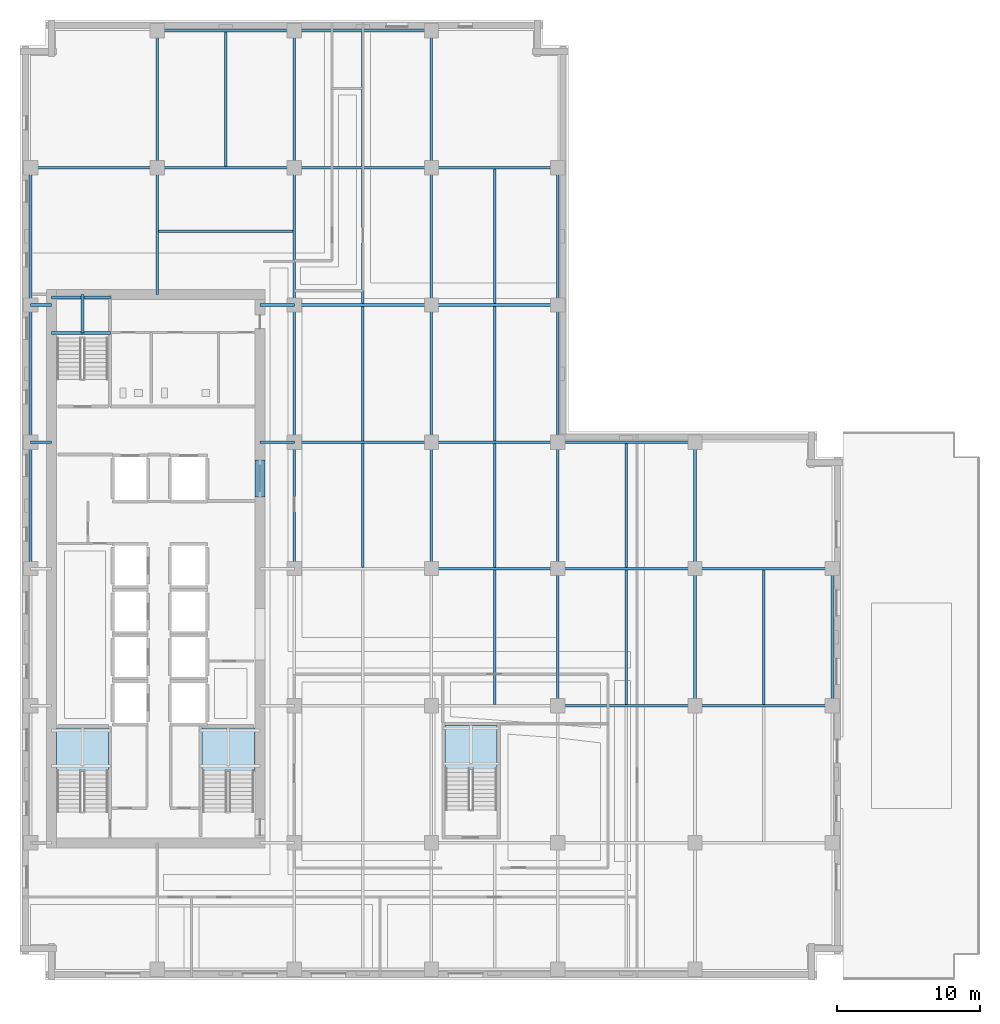
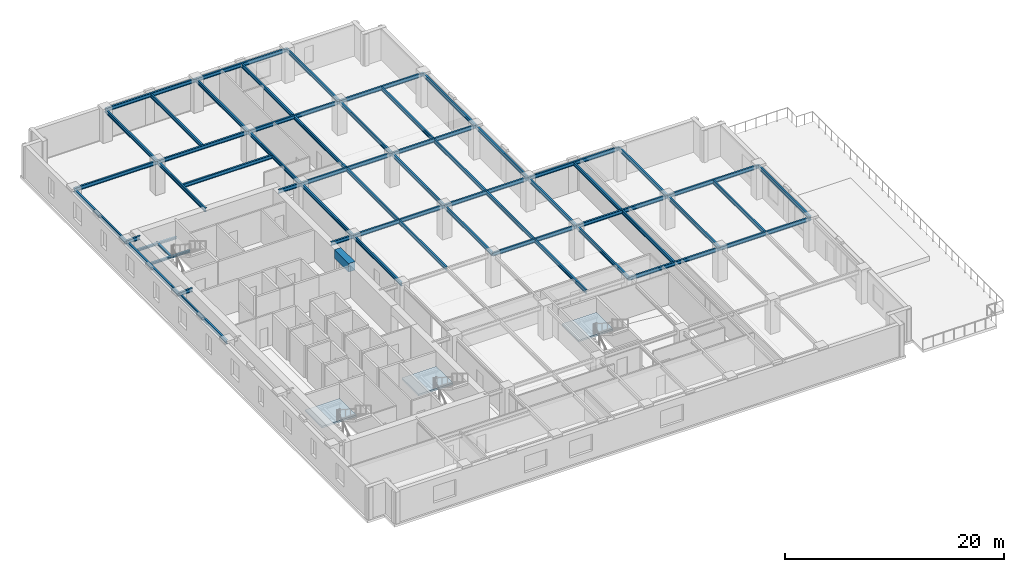
# One storey, part 2 of 12: 57 beams, 3 slabs, 3 elements without a shape of their own.
"""IFC4 building model written with IfcOpenShell, lengths in metres."""

from ifc_helpers import new_model, si_unit, direction, frame, origin, origin_2d, place, context, subcontext, project, spatial, polyline, rectangle, i_section, outline, extrude, material, layer, layer_set, material_profile, profile_set, type_object, element, aggregate, save


model = new_model("IFC4")

# Units and contexts
model_context = context("Model", 3, precision=1e-05, world=origin(), true_north=direction((0.0, 1.0)))
body_context = subcontext(model_context, "Body", "Model", "MODEL_VIEW")
ifc_project = project(units=[si_unit("LENGTHUNIT", "METRE"), si_unit("AREAUNIT", "SQUARE_METRE"), si_unit("VOLUMEUNIT", "CUBIC_METRE"), si_unit("PLANEANGLEUNIT", "RADIAN"), si_unit("MASSUNIT", "GRAM", prefix="KILO")], contexts=[model_context])

# Site, building, storey
site_placement = place(None, origin())
site = spatial("IfcSite", under=ifc_project, at=site_placement, CompositionType="ELEMENT")
building_placement = place(site_placement, origin())
building = spatial("IfcBuilding", under=site, at=building_placement, Name="Norrvale University Quadrangle", CompositionType="ELEMENT")
storey_placement = place(building_placement, frame((0.0, 0.0, 101.39990234375)))
storey = spatial("IfcBuildingStorey", under=building, at=storey_placement, Name="L25", CompositionType="ELEMENT", Elevation=101.39990234375)

# Beams
ifc_material_1 = material(Name="Steel 350W", Category="steel")
ifc_material_profile_1 = material_profile(ifc_material_1, i_section(OverallWidth=0.180908203125, OverallDepth=0.4169921875, WebThickness=0.010986328125, FlangeThickness=0.018310546875, FilletRadius=0.011962890625, at=origin_2d()), Name="Steel 350W")
ifc_profile_set_1 = profile_set([ifc_material_profile_1], Name="Steel 350W")
beam_type_1 = type_object("IfcBeamType", Name="Beam Atrium W410x85", PredefinedType="BEAM", material=ifc_profile_set_1)
for number, where, z_axis, x_axis, name in (
    (1, (37.64990234375, 19.199951171875, 3.33154296875), (1.0, 0.0, 0.0), (0.0, 1.0, 0.0), "Beam Atrium W410x85 BM-L25-GX011"),
    (2, (47.25, 19.199951171875, 3.33154296875), (1.0, 0.0, 0.0), (0.0, 1.0, 0.0), "Beam Atrium W410x85 BM-L25-GX012"),
):
    element("IfcBeam", number, at=place(storey_placement, frame(where, z_axis=z_axis, x_axis=x_axis)), inside=storey, type_object=beam_type_1, Name=name, PredefinedType="BEAM", context=body_context, shape_type="SweptSolid", body=[
        extrude(i_section(OverallWidth=0.180908203125, OverallDepth=0.4169921875, WebThickness=0.010986328125, FlangeThickness=0.018310546875, FilletRadius=0.011962890625, at=origin_2d()), origin(), (0.0, 0.0, 1.0), 9.60009765625),
    ])
beam_1_placement = place(storey_placement, frame((28.800048828125, 28.800048828125, 3.33154296875), z_axis=(1.0, 0.0, 0.0), x_axis=(0.0, 1.0, 0.0)))
element("IfcBeam", 3, at=beam_1_placement, inside=storey, type_object=beam_type_1, Name="Beam Atrium W410x85 BM-L25-GX014", PredefinedType="BEAM", context=body_context, shape_type="SweptSolid", body=[
    extrude(i_section(OverallWidth=0.180908203125, OverallDepth=0.4169921875, WebThickness=0.010986328125, FlangeThickness=0.018310546875, FilletRadius=0.011962890625, at=origin_2d()), origin(), (0.0, 0.0, 1.0), 8.849853515625),
])
for number, where, z_axis, x_axis, name in (
    (4, (37.64990234375, 28.800048828125, 3.33154296875), (1.0, 0.0, 0.0), (0.0, 1.0, 0.0), "Beam Atrium W410x85 BM-L25-GX015"),
    (5, (47.25, 28.800048828125, 3.33154296875), (1.0, 0.0, 0.0), (0.0, 1.0, 0.0), "Beam Atrium W410x85 BM-L25-GX016"),
    (6, (19.199951171875, 37.64990234375, 3.33154296875), (1.0, 0.0, 0.0), (0.0, 1.0, 0.0), "Beam Atrium W410x85 BM-L25-GX017"),
):
    element("IfcBeam", number, at=place(storey_placement, frame(where, z_axis=z_axis, x_axis=x_axis)), inside=storey, type_object=beam_type_1, Name=name, PredefinedType="BEAM", context=body_context, shape_type="SweptSolid", body=[
        extrude(i_section(OverallWidth=0.180908203125, OverallDepth=0.4169921875, WebThickness=0.010986328125, FlangeThickness=0.018310546875, FilletRadius=0.011962890625, at=origin_2d()), origin(), (0.0, 0.0, 1.0), 9.60009765625),
    ])
beam_2_placement = place(storey_placement, frame((28.800048828125, 37.64990234375, 3.33154296875), z_axis=(1.0, 0.0, 0.0), x_axis=(0.0, 1.0, 0.0)))
element("IfcBeam", 7, at=beam_2_placement, inside=storey, type_object=beam_type_1, Name="Beam Atrium W410x85 BM-L25-GX018", PredefinedType="BEAM", context=body_context, shape_type="SweptSolid", body=[
    extrude(i_section(OverallWidth=0.180908203125, OverallDepth=0.4169921875, WebThickness=0.010986328125, FlangeThickness=0.018310546875, FilletRadius=0.011962890625, at=origin_2d()), origin(), (0.0, 0.0, 1.0), 8.849853515625),
])
for number, where, z_axis, x_axis, name in (
    (8, (37.64990234375, 37.64990234375, 3.33154296875), (1.0, 0.0, 0.0), (0.0, 1.0, 0.0), "Beam Atrium W410x85 BM-L25-GX019"),
    (9, (19.199951171875, 47.25, 3.33154296875), (1.0, 0.0, 0.0), (0.0, 1.0, 0.0), "Beam Atrium W410x85 BM-L25-GX020"),
):
    element("IfcBeam", number, at=place(storey_placement, frame(where, z_axis=z_axis, x_axis=x_axis)), inside=storey, type_object=beam_type_1, Name=name, PredefinedType="BEAM", context=body_context, shape_type="SweptSolid", body=[
        extrude(i_section(OverallWidth=0.180908203125, OverallDepth=0.4169921875, WebThickness=0.010986328125, FlangeThickness=0.018310546875, FilletRadius=0.011962890625, at=origin_2d()), origin(), (0.0, 0.0, 1.0), 9.60009765625),
    ])
beam_3_placement = place(storey_placement, frame((28.800048828125, 47.25, 3.33154296875), z_axis=(1.0, 0.0, 0.0), x_axis=(0.0, 1.0, 0.0)))
element("IfcBeam", 10, at=beam_3_placement, inside=storey, type_object=beam_type_1, Name="Beam Atrium W410x85 BM-L25-GX021", PredefinedType="BEAM", context=body_context, shape_type="SweptSolid", body=[
    extrude(i_section(OverallWidth=0.180908203125, OverallDepth=0.4169921875, WebThickness=0.010986328125, FlangeThickness=0.018310546875, FilletRadius=0.011962890625, at=origin_2d()), origin(), (0.0, 0.0, 1.0), 8.849853515625),
])
beam_4_placement = place(storey_placement, frame((0.75, 56.85009765625, 3.33154296875), z_axis=(1.0, 0.0, 0.0), x_axis=(0.0, 1.0, 0.0)))
element("IfcBeam", 11, at=beam_4_placement, inside=storey, type_object=beam_type_1, Name="Beam Atrium W410x85 BM-L25-GX022", PredefinedType="BEAM", context=body_context, shape_type="SweptSolid", body=[
    extrude(i_section(OverallWidth=0.180908203125, OverallDepth=0.4169921875, WebThickness=0.010986328125, FlangeThickness=0.018310546875, FilletRadius=0.011962890625, at=origin_2d()), origin(), (0.0, 0.0, 1.0), 8.85009765625),
])
beam_5_placement = place(storey_placement, frame((9.60009765625, 56.85009765625, 3.33154296875), z_axis=(1.0, 0.0, 0.0), x_axis=(0.0, 1.0, 0.0)))
element("IfcBeam", 12, at=beam_5_placement, inside=storey, type_object=beam_type_1, Name="Beam Atrium W410x85 BM-L25-GX023", PredefinedType="BEAM", context=body_context, shape_type="SweptSolid", body=[
    extrude(i_section(OverallWidth=0.180908203125, OverallDepth=0.4169921875, WebThickness=0.010986328125, FlangeThickness=0.018310546875, FilletRadius=0.011962890625, at=origin_2d()), origin(), (0.0, 0.0, 1.0), 9.599853515625),
])
beam_6_placement = place(storey_placement, frame((19.199951171875, 56.85009765625, 3.33154296875), z_axis=(1.0, 0.0, 0.0), x_axis=(0.0, 1.0, 0.0)))
element("IfcBeam", 13, at=beam_6_placement, inside=storey, type_object=beam_type_1, Name="Beam Atrium W410x85 BM-L25-GX024", PredefinedType="BEAM", context=body_context, shape_type="SweptSolid", body=[
    extrude(i_section(OverallWidth=0.180908203125, OverallDepth=0.4169921875, WebThickness=0.010986328125, FlangeThickness=0.018310546875, FilletRadius=0.011962890625, at=origin_2d()), origin(), (0.0, 0.0, 1.0), 9.60009765625),
])
beam_7_placement = place(storey_placement, frame((28.800048828125, 56.85009765625, 3.33154296875), z_axis=(1.0, 0.0, 0.0), x_axis=(0.0, 1.0, 0.0)))
element("IfcBeam", 14, at=beam_7_placement, inside=storey, type_object=beam_type_1, Name="Beam Atrium W410x85 BM-L25-GX025", PredefinedType="BEAM", context=body_context, shape_type="SweptSolid", body=[
    extrude(i_section(OverallWidth=0.180908203125, OverallDepth=0.4169921875, WebThickness=0.010986328125, FlangeThickness=0.018310546875, FilletRadius=0.011962890625, at=origin_2d()), origin(), (0.0, 0.0, 1.0), 8.849853515625),
])
beam_8_placement = place(storey_placement, frame((9.60009765625, 66.449951171875, 3.33154296875), z_axis=(1.0, 0.0, 0.0), x_axis=(0.0, 1.0, 0.0)))
element("IfcBeam", 15, at=beam_8_placement, inside=storey, type_object=beam_type_1, Name="Beam Atrium W410x85 BM-L25-GX026", PredefinedType="BEAM", context=body_context, shape_type="SweptSolid", body=[
    extrude(i_section(OverallWidth=0.180908203125, OverallDepth=0.4169921875, WebThickness=0.010986328125, FlangeThickness=0.018310546875, FilletRadius=0.011962890625, at=origin_2d()), origin(), (0.0, 0.0, 1.0), 9.599853515625),
])
beam_9_placement = place(storey_placement, frame((19.199951171875, 66.449951171875, 3.33154296875), z_axis=(1.0, 0.0, 0.0), x_axis=(0.0, 1.0, 0.0)))
element("IfcBeam", 16, at=beam_9_placement, inside=storey, type_object=beam_type_1, Name="Beam Atrium W410x85 BM-L25-GX027", PredefinedType="BEAM", context=body_context, shape_type="SweptSolid", body=[
    extrude(i_section(OverallWidth=0.180908203125, OverallDepth=0.4169921875, WebThickness=0.010986328125, FlangeThickness=0.018310546875, FilletRadius=0.011962890625, at=origin_2d()), origin(), (0.0, 0.0, 1.0), 9.60009765625),
])
beam_10_placement = place(storey_placement, frame((0.75, 28.800048828125, 3.33154296875), z_axis=(0.0, 1.0, 0.0), x_axis=(-1.0, 0.0, 0.0)))
element("IfcBeam", 17, at=beam_10_placement, inside=storey, type_object=beam_type_1, Name="Beam Atrium W410x85 BM-L25-GY030", PredefinedType="BEAM", context=body_context, shape_type="SweptSolid", body=[
    extrude(i_section(OverallWidth=0.180908203125, OverallDepth=0.4169921875, WebThickness=0.010986328125, FlangeThickness=0.018310546875, FilletRadius=0.011962890625, at=origin_2d()), origin(), (0.0, 0.0, 1.0), 8.849853515625),
])
for number, where, z_axis, x_axis, name in (
    (18, (0.75, 37.64990234375, 3.33154296875), (0.0, 1.0, 0.0), (-1.0, 0.0, 0.0), "Beam Atrium W410x85 BM-L25-GY031"),
    (19, (0.75, 47.25, 3.33154296875), (0.0, 1.0, 0.0), (-1.0, 0.0, 0.0), "Beam Atrium W410x85 BM-L25-GY032"),
):
    element("IfcBeam", number, at=place(storey_placement, frame(where, z_axis=z_axis, x_axis=x_axis)), inside=storey, type_object=beam_type_1, Name=name, PredefinedType="BEAM", context=body_context, shape_type="SweptSolid", body=[
        extrude(i_section(OverallWidth=0.180908203125, OverallDepth=0.4169921875, WebThickness=0.010986328125, FlangeThickness=0.018310546875, FilletRadius=0.011962890625, at=origin_2d()), origin(), (0.0, 0.0, 1.0), 9.60009765625),
    ])
beam_11_placement = place(storey_placement, frame((9.60009765625, 56.85009765625, 3.33154296875), z_axis=(0.0, 1.0, 0.0), x_axis=(-1.0, 0.0, 0.0)))
element("IfcBeam", 20, at=beam_11_placement, inside=storey, type_object=beam_type_1, Name="Beam Atrium W410x85 BM-L25-GY033", PredefinedType="BEAM", context=body_context, shape_type="SweptSolid", body=[
    extrude(i_section(OverallWidth=0.180908203125, OverallDepth=0.4169921875, WebThickness=0.010986328125, FlangeThickness=0.018310546875, FilletRadius=0.011962890625, at=origin_2d()), origin(), (0.0, 0.0, 1.0), 9.599853515625),
])
beam_12_placement = place(storey_placement, frame((19.199951171875, 28.800048828125, 3.33154296875), z_axis=(0.0, 1.0, 0.0), x_axis=(-1.0, 0.0, 0.0)))
element("IfcBeam", 21, at=beam_12_placement, inside=storey, type_object=beam_type_1, Name="Beam Atrium W410x85 BM-L25-GY037", PredefinedType="BEAM", context=body_context, shape_type="SweptSolid", body=[
    extrude(i_section(OverallWidth=0.180908203125, OverallDepth=0.4169921875, WebThickness=0.010986328125, FlangeThickness=0.018310546875, FilletRadius=0.011962890625, at=origin_2d()), origin(), (0.0, 0.0, 1.0), 8.849853515625),
])
for number, where, z_axis, x_axis, name in (
    (22, (19.199951171875, 37.64990234375, 3.33154296875), (0.0, 1.0, 0.0), (-1.0, 0.0, 0.0), "Beam Atrium W410x85 BM-L25-GY038"),
    (23, (19.199951171875, 47.25, 3.33154296875), (0.0, 1.0, 0.0), (-1.0, 0.0, 0.0), "Beam Atrium W410x85 BM-L25-GY039"),
):
    element("IfcBeam", number, at=place(storey_placement, frame(where, z_axis=z_axis, x_axis=x_axis)), inside=storey, type_object=beam_type_1, Name=name, PredefinedType="BEAM", context=body_context, shape_type="SweptSolid", body=[
        extrude(i_section(OverallWidth=0.180908203125, OverallDepth=0.4169921875, WebThickness=0.010986328125, FlangeThickness=0.018310546875, FilletRadius=0.011962890625, at=origin_2d()), origin(), (0.0, 0.0, 1.0), 9.60009765625),
    ])
beam_13_placement = place(storey_placement, frame((19.199951171875, 56.85009765625, 3.33154296875), z_axis=(0.0, 1.0, 0.0), x_axis=(-1.0, 0.0, 0.0)))
element("IfcBeam", 24, at=beam_13_placement, inside=storey, type_object=beam_type_1, Name="Beam Atrium W410x85 BM-L25-GY040", PredefinedType="BEAM", context=body_context, shape_type="SweptSolid", body=[
    extrude(i_section(OverallWidth=0.180908203125, OverallDepth=0.4169921875, WebThickness=0.010986328125, FlangeThickness=0.018310546875, FilletRadius=0.011962890625, at=origin_2d()), origin(), (0.0, 0.0, 1.0), 9.599853515625),
])
beam_14_placement = place(storey_placement, frame((28.800048828125, 28.800048828125, 3.33154296875), z_axis=(0.0, 1.0, 0.0), x_axis=(-1.0, 0.0, 0.0)))
element("IfcBeam", 25, at=beam_14_placement, inside=storey, type_object=beam_type_1, Name="Beam Atrium W410x85 BM-L25-GY044", PredefinedType="BEAM", context=body_context, shape_type="SweptSolid", body=[
    extrude(i_section(OverallWidth=0.180908203125, OverallDepth=0.4169921875, WebThickness=0.010986328125, FlangeThickness=0.018310546875, FilletRadius=0.011962890625, at=origin_2d()), origin(), (0.0, 0.0, 1.0), 8.849853515625),
])
for number, where, z_axis, x_axis, name in (
    (26, (28.800048828125, 37.64990234375, 3.33154296875), (0.0, 1.0, 0.0), (-1.0, 0.0, 0.0), "Beam Atrium W410x85 BM-L25-GY045"),
    (27, (28.800048828125, 47.25, 3.33154296875), (0.0, 1.0, 0.0), (-1.0, 0.0, 0.0), "Beam Atrium W410x85 BM-L25-GY046"),
):
    element("IfcBeam", number, at=place(storey_placement, frame(where, z_axis=z_axis, x_axis=x_axis)), inside=storey, type_object=beam_type_1, Name=name, PredefinedType="BEAM", context=body_context, shape_type="SweptSolid", body=[
        extrude(i_section(OverallWidth=0.180908203125, OverallDepth=0.4169921875, WebThickness=0.010986328125, FlangeThickness=0.018310546875, FilletRadius=0.011962890625, at=origin_2d()), origin(), (0.0, 0.0, 1.0), 9.60009765625),
    ])
beam_15_placement = place(storey_placement, frame((28.800048828125, 56.85009765625, 3.33154296875), z_axis=(0.0, 1.0, 0.0), x_axis=(-1.0, 0.0, 0.0)))
element("IfcBeam", 28, at=beam_15_placement, inside=storey, type_object=beam_type_1, Name="Beam Atrium W410x85 BM-L25-GY047", PredefinedType="BEAM", context=body_context, shape_type="SweptSolid", body=[
    extrude(i_section(OverallWidth=0.180908203125, OverallDepth=0.4169921875, WebThickness=0.010986328125, FlangeThickness=0.018310546875, FilletRadius=0.011962890625, at=origin_2d()), origin(), (0.0, 0.0, 1.0), 9.599853515625),
])
beam_16_placement = place(storey_placement, frame((37.64990234375, 19.199951171875, 3.33154296875), z_axis=(0.0, 1.0, 0.0), x_axis=(-1.0, 0.0, 0.0)))
element("IfcBeam", 29, at=beam_16_placement, inside=storey, type_object=beam_type_1, Name="Beam Atrium W410x85 BM-L25-GY050", PredefinedType="BEAM", context=body_context, shape_type="SweptSolid", body=[
    extrude(i_section(OverallWidth=0.180908203125, OverallDepth=0.4169921875, WebThickness=0.010986328125, FlangeThickness=0.018310546875, FilletRadius=0.011962890625, at=origin_2d()), origin(), (0.0, 0.0, 1.0), 9.60009765625),
])
beam_17_placement = place(storey_placement, frame((37.64990234375, 28.800048828125, 3.33154296875), z_axis=(0.0, 1.0, 0.0), x_axis=(-1.0, 0.0, 0.0)))
element("IfcBeam", 30, at=beam_17_placement, inside=storey, type_object=beam_type_1, Name="Beam Atrium W410x85 BM-L25-GY051", PredefinedType="BEAM", context=body_context, shape_type="SweptSolid", body=[
    extrude(i_section(OverallWidth=0.180908203125, OverallDepth=0.4169921875, WebThickness=0.010986328125, FlangeThickness=0.018310546875, FilletRadius=0.011962890625, at=origin_2d()), origin(), (0.0, 0.0, 1.0), 8.849853515625),
])
for number, where, z_axis, x_axis, name in (
    (31, (37.64990234375, 37.64990234375, 3.33154296875), (0.0, 1.0, 0.0), (-1.0, 0.0, 0.0), "Beam Atrium W410x85 BM-L25-GY052"),
    (32, (37.64990234375, 47.25, 3.33154296875), (0.0, 1.0, 0.0), (-1.0, 0.0, 0.0), "Beam Atrium W410x85 BM-L25-GY053"),
    (33, (47.25, 19.199951171875, 3.33154296875), (0.0, 1.0, 0.0), (-1.0, 0.0, 0.0), "Beam Atrium W410x85 BM-L25-GY056"),
):
    element("IfcBeam", number, at=place(storey_placement, frame(where, z_axis=z_axis, x_axis=x_axis)), inside=storey, type_object=beam_type_1, Name=name, PredefinedType="BEAM", context=body_context, shape_type="SweptSolid", body=[
        extrude(i_section(OverallWidth=0.180908203125, OverallDepth=0.4169921875, WebThickness=0.010986328125, FlangeThickness=0.018310546875, FilletRadius=0.011962890625, at=origin_2d()), origin(), (0.0, 0.0, 1.0), 9.60009765625),
    ])
beam_18_placement = place(storey_placement, frame((47.25, 28.800048828125, 3.33154296875), z_axis=(0.0, 1.0, 0.0), x_axis=(-1.0, 0.0, 0.0)))
element("IfcBeam", 34, at=beam_18_placement, inside=storey, type_object=beam_type_1, Name="Beam Atrium W410x85 BM-L25-GY057", PredefinedType="BEAM", context=body_context, shape_type="SweptSolid", body=[
    extrude(i_section(OverallWidth=0.180908203125, OverallDepth=0.4169921875, WebThickness=0.010986328125, FlangeThickness=0.018310546875, FilletRadius=0.011962890625, at=origin_2d()), origin(), (0.0, 0.0, 1.0), 8.849853515625),
])
beam_19_placement = place(storey_placement, frame((56.85009765625, 19.199951171875, 3.33154296875), z_axis=(0.0, 1.0, 0.0), x_axis=(-1.0, 0.0, 0.0)))
element("IfcBeam", 35, at=beam_19_placement, inside=storey, type_object=beam_type_1, Name="Beam Atrium W410x85 BM-L25-GY059", PredefinedType="BEAM", context=body_context, shape_type="SweptSolid", body=[
    extrude(i_section(OverallWidth=0.180908203125, OverallDepth=0.4169921875, WebThickness=0.010986328125, FlangeThickness=0.018310546875, FilletRadius=0.011962890625, at=origin_2d()), origin(), (0.0, 0.0, 1.0), 9.60009765625),
])
beam_20_placement = place(storey_placement, frame((0.75, 37.64990234375, 3.33154296875), z_axis=(1.0, 0.0, 0.0), x_axis=(0.0, 1.0, 0.0)))
element("IfcBeam", 36, at=beam_20_placement, inside=storey, type_object=beam_type_1, Name="Beam Atrium W410x85 BM-L25-GCW066", PredefinedType="BEAM", context=body_context, shape_type="SweptSolid", body=[
    extrude(i_section(OverallWidth=0.180908203125, OverallDepth=0.4169921875, WebThickness=0.010986328125, FlangeThickness=0.018310546875, FilletRadius=0.011962890625, at=origin_2d()), origin(), (0.0, 0.0, 1.0), 1.449951171875),
])
beam_21_placement = place(storey_placement, frame((16.800048828125, 37.64990234375, 3.33154296875), z_axis=(1.0, 0.0, 0.0), x_axis=(0.0, 1.0, 0.0)))
element("IfcBeam", 37, at=beam_21_placement, inside=storey, type_object=beam_type_1, Name="Beam Atrium W410x85 BM-L25-GCE067", PredefinedType="BEAM", context=body_context, shape_type="SweptSolid", body=[
    extrude(i_section(OverallWidth=0.180908203125, OverallDepth=0.4169921875, WebThickness=0.010986328125, FlangeThickness=0.018310546875, FilletRadius=0.011962890625, at=origin_2d()), origin(), (0.0, 0.0, 1.0), 2.39990234375),
])
beam_22_placement = place(storey_placement, frame((0.75, 47.25, 3.33154296875), z_axis=(1.0, 0.0, 0.0), x_axis=(0.0, 1.0, 0.0)))
element("IfcBeam", 38, at=beam_22_placement, inside=storey, type_object=beam_type_1, Name="Beam Atrium W410x85 BM-L25-GCW068", PredefinedType="BEAM", context=body_context, shape_type="SweptSolid", body=[
    extrude(i_section(OverallWidth=0.180908203125, OverallDepth=0.4169921875, WebThickness=0.010986328125, FlangeThickness=0.018310546875, FilletRadius=0.011962890625, at=origin_2d()), origin(), (0.0, 0.0, 1.0), 1.449951171875),
])
beam_23_placement = place(storey_placement, frame((16.800048828125, 47.25, 3.33154296875), z_axis=(1.0, 0.0, 0.0), x_axis=(0.0, 1.0, 0.0)))
element("IfcBeam", 39, at=beam_23_placement, inside=storey, type_object=beam_type_1, Name="Beam Atrium W410x85 BM-L25-GCE069", PredefinedType="BEAM", context=body_context, shape_type="SweptSolid", body=[
    extrude(i_section(OverallWidth=0.180908203125, OverallDepth=0.4169921875, WebThickness=0.010986328125, FlangeThickness=0.018310546875, FilletRadius=0.011962890625, at=origin_2d()), origin(), (0.0, 0.0, 1.0), 2.39990234375),
])
beam_24_placement = place(storey_placement, frame((9.60009765625, 48.0, 3.33154296875), z_axis=(0.0, 1.0, 0.0), x_axis=(-1.0, 0.0, 0.0)))
element("IfcBeam", 40, at=beam_24_placement, inside=storey, type_object=beam_type_1, Name="Beam Atrium W410x85 BM-L25-GCN091", PredefinedType="BEAM", context=body_context, shape_type="SweptSolid", body=[
    extrude(i_section(OverallWidth=0.180908203125, OverallDepth=0.4169921875, WebThickness=0.010986328125, FlangeThickness=0.018310546875, FilletRadius=0.011962890625, at=origin_2d()), origin(), (0.0, 0.0, 1.0), 8.85009765625),
])
ifc_material_2 = material(Name="Concrete C80/95", Category="concrete")
ifc_material_profile_2 = material_profile(ifc_material_2, rectangle(XDim=0.699951171875, YDim=0.949951171875, at=origin_2d()), Name="Concrete C80/95")
ifc_profile_set_2 = profile_set([ifc_material_profile_2], Name="Concrete C80/95")
beam_type_2 = type_object("IfcBeamType", Name="Beam Core Link 700x950", PredefinedType="LINTEL", material=ifc_profile_set_2)
beam_25_placement = place(storey_placement, frame((16.800048828125, 33.800048828125, 3.065185546875), z_axis=(0.0, 1.0, 0.0), x_axis=(-1.0, 0.0, 0.0)))
element("IfcBeam", 41, at=beam_25_placement, inside=storey, type_object=beam_type_2, Name="Core Coupling Lintel Beam L25-2", PredefinedType="LINTEL", context=body_context, shape_type="SweptSolid", body=[
    extrude(rectangle(XDim=0.699951171875, YDim=0.949951171875, at=origin_2d()), origin(), (0.0, 0.0, 1.0), 2.599853515625),
])
ifc_material_profile_3 = material_profile(ifc_material_1, i_section(OverallWidth=0.177978515625, OverallDepth=0.406982421875, WebThickness=0.0078125, FlangeThickness=0.0126953125, FilletRadius=0.011962890625, at=origin_2d()), Name="Steel 350W")
ifc_profile_set_3 = profile_set([ifc_material_profile_3], Name="Steel 350W")
beam_type_3 = type_object("IfcBeamType", Name="Beam Roof Purlin W410x60", PredefinedType="USERDEFINED", material=ifc_profile_set_3)
beam_26_placement = place(storey_placement, frame((14.39990234375, 56.9404296875, 3.336669921875), z_axis=(0.0, 1.0, 0.0), x_axis=(-1.0, 0.0, 0.0)))
element("IfcBeam", 42, at=beam_26_placement, inside=storey, type_object=beam_type_3, Name="Beam Roof Purlin W410x60 BM-L25-J070", ObjectType="PURLIN", PredefinedType="USERDEFINED", context=body_context, shape_type="SweptSolid", body=[
    extrude(i_section(OverallWidth=0.177978515625, OverallDepth=0.406982421875, WebThickness=0.0078125, FlangeThickness=0.0126953125, FilletRadius=0.011962890625, at=origin_2d()), origin(), (0.0, 0.0, 1.0), 9.419189453125),
])
beam_27_placement = place(storey_placement, frame((24.0, 28.890380859375, 3.336669921875), z_axis=(0.0, 1.0, 0.0), x_axis=(-1.0, 0.0, 0.0)))
element("IfcBeam", 43, at=beam_27_placement, inside=storey, type_object=beam_type_3, Name="Beam Roof Purlin W410x60 BM-L25-J074", ObjectType="PURLIN", PredefinedType="USERDEFINED", context=body_context, shape_type="SweptSolid", body=[
    extrude(i_section(OverallWidth=0.177978515625, OverallDepth=0.406982421875, WebThickness=0.0078125, FlangeThickness=0.0126953125, FilletRadius=0.011962890625, at=origin_2d()), origin(), (0.0, 0.0, 1.0), 8.669189453125),
])
for number, where, z_axis, x_axis, name in (
    (44, (24.0, 37.740478515625, 3.336669921875), (0.0, 1.0, 0.0), (-1.0, 0.0, 0.0), "Beam Roof Purlin W410x60 BM-L25-J075"),
    (45, (24.0, 47.340576171875, 3.336669921875), (0.0, 1.0, 0.0), (-1.0, 0.0, 0.0), "Beam Roof Purlin W410x60 BM-L25-J076"),
):
    element("IfcBeam", number, at=place(storey_placement, frame(where, z_axis=z_axis, x_axis=x_axis)), inside=storey, type_object=beam_type_3, Name=name, ObjectType="PURLIN", PredefinedType="USERDEFINED", context=body_context, shape_type="SweptSolid", body=[
        extrude(i_section(OverallWidth=0.177978515625, OverallDepth=0.406982421875, WebThickness=0.0078125, FlangeThickness=0.0126953125, FilletRadius=0.011962890625, at=origin_2d()), origin(), (0.0, 0.0, 1.0), 9.4189453125),
    ])
beam_28_placement = place(storey_placement, frame((24.0, 56.9404296875, 3.336669921875), z_axis=(0.0, 1.0, 0.0), x_axis=(-1.0, 0.0, 0.0)))
element("IfcBeam", 46, at=beam_28_placement, inside=storey, type_object=beam_type_3, Name="Beam Roof Purlin W410x60 BM-L25-J077", ObjectType="PURLIN", PredefinedType="USERDEFINED", context=body_context, shape_type="SweptSolid", body=[
    extrude(i_section(OverallWidth=0.177978515625, OverallDepth=0.406982421875, WebThickness=0.0078125, FlangeThickness=0.0126953125, FilletRadius=0.011962890625, at=origin_2d()), origin(), (0.0, 0.0, 1.0), 9.419189453125),
])
beam_29_placement = place(storey_placement, frame((33.22509765625, 19.29052734375, 3.336669921875), z_axis=(0.0, 1.0, 0.0), x_axis=(-1.0, 0.0, 0.0)))
element("IfcBeam", 47, at=beam_29_placement, inside=storey, type_object=beam_type_3, Name="Beam Roof Purlin W410x60 BM-L25-J079", ObjectType="PURLIN", PredefinedType="USERDEFINED", context=body_context, shape_type="SweptSolid", body=[
    extrude(i_section(OverallWidth=0.177978515625, OverallDepth=0.406982421875, WebThickness=0.0078125, FlangeThickness=0.0126953125, FilletRadius=0.011962890625, at=origin_2d()), origin(), (0.0, 0.0, 1.0), 9.4189453125),
])
beam_30_placement = place(storey_placement, frame((33.22509765625, 28.890380859375, 3.336669921875), z_axis=(0.0, 1.0, 0.0), x_axis=(-1.0, 0.0, 0.0)))
element("IfcBeam", 48, at=beam_30_placement, inside=storey, type_object=beam_type_3, Name="Beam Roof Purlin W410x60 BM-L25-J080", ObjectType="PURLIN", PredefinedType="USERDEFINED", context=body_context, shape_type="SweptSolid", body=[
    extrude(i_section(OverallWidth=0.177978515625, OverallDepth=0.406982421875, WebThickness=0.0078125, FlangeThickness=0.0126953125, FilletRadius=0.011962890625, at=origin_2d()), origin(), (0.0, 0.0, 1.0), 8.669189453125),
])
for number, where, z_axis, x_axis, name in (
    (49, (33.22509765625, 37.740478515625, 3.336669921875), (0.0, 1.0, 0.0), (-1.0, 0.0, 0.0), "Beam Roof Purlin W410x60 BM-L25-J081"),
    (50, (33.22509765625, 47.340576171875, 3.336669921875), (0.0, 1.0, 0.0), (-1.0, 0.0, 0.0), "Beam Roof Purlin W410x60 BM-L25-J082"),
    (51, (42.449951171875, 19.29052734375, 3.336669921875), (0.0, 1.0, 0.0), (-1.0, 0.0, 0.0), "Beam Roof Purlin W410x60 BM-L25-J085"),
):
    element("IfcBeam", number, at=place(storey_placement, frame(where, z_axis=z_axis, x_axis=x_axis)), inside=storey, type_object=beam_type_3, Name=name, ObjectType="PURLIN", PredefinedType="USERDEFINED", context=body_context, shape_type="SweptSolid", body=[
        extrude(i_section(OverallWidth=0.177978515625, OverallDepth=0.406982421875, WebThickness=0.0078125, FlangeThickness=0.0126953125, FilletRadius=0.011962890625, at=origin_2d()), origin(), (0.0, 0.0, 1.0), 9.4189453125),
    ])
beam_31_placement = place(storey_placement, frame((42.449951171875, 28.890380859375, 3.336669921875), z_axis=(0.0, 1.0, 0.0), x_axis=(-1.0, 0.0, 0.0)))
element("IfcBeam", 52, at=beam_31_placement, inside=storey, type_object=beam_type_3, Name="Beam Roof Purlin W410x60 BM-L25-J086", ObjectType="PURLIN", PredefinedType="USERDEFINED", context=body_context, shape_type="SweptSolid", body=[
    extrude(i_section(OverallWidth=0.177978515625, OverallDepth=0.406982421875, WebThickness=0.0078125, FlangeThickness=0.0126953125, FilletRadius=0.011962890625, at=origin_2d()), origin(), (0.0, 0.0, 1.0), 8.669189453125),
])
beam_32_placement = place(storey_placement, frame((52.050048828125, 19.29052734375, 3.336669921875), z_axis=(0.0, 1.0, 0.0), x_axis=(-1.0, 0.0, 0.0)))
element("IfcBeam", 53, at=beam_32_placement, inside=storey, type_object=beam_type_3, Name="Beam Roof Purlin W410x60 BM-L25-J088", ObjectType="PURLIN", PredefinedType="USERDEFINED", context=body_context, shape_type="SweptSolid", body=[
    extrude(i_section(OverallWidth=0.177978515625, OverallDepth=0.406982421875, WebThickness=0.0078125, FlangeThickness=0.0126953125, FilletRadius=0.011962890625, at=origin_2d()), origin(), (0.0, 0.0, 1.0), 9.4189453125),
])
beam_33_placement = place(storey_placement, frame((9.6904296875, 52.39990234375, 3.336669921875), z_axis=(1.0, 0.0, 0.0), x_axis=(0.0, 1.0, 0.0)))
element("IfcBeam", 54, at=beam_33_placement, inside=storey, type_object=beam_type_3, Name="Beam Roof Purlin W410x60 BM-L25-JCN092", ObjectType="PURLIN", PredefinedType="USERDEFINED", context=body_context, shape_type="SweptSolid", body=[
    extrude(i_section(OverallWidth=0.177978515625, OverallDepth=0.406982421875, WebThickness=0.0078125, FlangeThickness=0.0126953125, FilletRadius=0.011962890625, at=origin_2d()), origin(), (0.0, 0.0, 1.0), 9.419189453125),
])
ifc_material_profile_4 = material_profile(ifc_material_1, i_section(OverallWidth=0.201904296875, OverallDepth=0.2470703125, WebThickness=0.00732421875, FlangeThickness=0.010986328125, FilletRadius=0.011962890625, at=origin_2d()), Name="Steel 350W")
ifc_profile_set_4 = profile_set([ifc_material_profile_4], Name="Steel 350W")
beam_type_4 = type_object("IfcBeamType", Name="Beam Stair W250x49", PredefinedType="BEAM", material=ifc_profile_set_4)
for number, where, z_axis, x_axis, name in (
    (55, (2.199951171875, 45.2900390625, 1.57666015625), (1.0, 0.0, 0.0), (0.0, 1.0, 0.0), "Stair Mid-Landing Front Beam ST-02 L25"),
    (56, (2.199951171875, 47.77001953125, 1.57666015625), (1.0, 0.0, 0.0), (0.0, 1.0, 0.0), "Stair Mid-Landing Rear Beam ST-02 L25"),
):
    element("IfcBeam", number, at=place(storey_placement, frame(where, z_axis=z_axis, x_axis=x_axis)), inside=storey, type_object=beam_type_4, Name=name, PredefinedType="BEAM", context=body_context, shape_type="SweptSolid", body=[
        extrude(i_section(OverallWidth=0.201904296875, OverallDepth=0.2470703125, WebThickness=0.00732421875, FlangeThickness=0.010986328125, FilletRadius=0.011962890625, at=origin_2d()), origin(), (0.0, 0.0, 1.0), 4.14013671875),
    ])
ifc_material_profile_5 = material_profile(ifc_material_1, i_section(OverallWidth=0.202880859375, OverallDepth=0.202880859375, WebThickness=0.007080078125, FlangeThickness=0.010986328125, FilletRadius=0.010009765625, at=origin_2d()), Name="Steel 350W")
ifc_profile_set_5 = profile_set([ifc_material_profile_5], Name="Steel 350W")
beam_type_5 = type_object("IfcBeamType", Name="Beam Trim W200x46", PredefinedType="BEAM", material=ifc_profile_set_5)
beam_34_placement = place(storey_placement, frame((4.375, 45.2900390625, 1.5986328125), z_axis=(0.0, 1.0, 0.0), x_axis=(-1.0, 0.0, 0.0)))
element("IfcBeam", 57, at=beam_34_placement, inside=storey, type_object=beam_type_5, Name="Stair Mid-Landing Cross Beam ST-02 L25", PredefinedType="BEAM", context=body_context, shape_type="SweptSolid", body=[
    extrude(i_section(OverallWidth=0.202880859375, OverallDepth=0.202880859375, WebThickness=0.007080078125, FlangeThickness=0.010986328125, FilletRadius=0.010009765625, at=origin_2d()), origin(), (0.0, 0.0, 1.0), 2.7099609375),
])

# Stair, slab
ifc_material_3 = material(Name="Concrete C40/50", Category="concrete")
stair_type = type_object("IfcStairType", Name="Stair Tower Typ 3800", PredefinedType="TWO_STRAIGHT_RUN_STAIR", material=ifc_material_3)
stair_1_placement = place(storey_placement, origin())
stair_1 = element("IfcStair", 58, at=stair_1_placement, inside=storey, type_object=stair_type, Name="Exit Stair ST-01 L25", PredefinedType="TWO_STRAIGHT_RUN_STAIR")
ifc_layer = layer(ifc_material_3, 0.199951171875, Name="Concrete C40/50")
ifc_layer_set = layer_set([ifc_layer], Name="Concrete C40/50")
slab_type = type_object("IfcSlabType", Name="Slab Landing 200", PredefinedType="LANDING", material=ifc_layer_set)
slab_1_placement = place(storey_placement, frame((0.0, 0.0, 1.7001953125)))
slab_1 = element("IfcSlab", 59, at=slab_1_placement, type_object=slab_type, Name="Exit Stair ST-01 L25 Mid Landing", PredefinedType="LANDING", context=body_context, shape_type="SweptSolid", body=[
    extrude(outline(polyline([(2.550048828125, 14.590087890625), (6.199951171875, 14.590087890625), (6.199951171875, 17.64990234375), (2.550048828125, 17.64990234375), (2.550048828125, 14.590087890625)])), origin(), (0.0, 0.0, 1.0), 0.199951171875),
])
aggregate(stair_1, [slab_1])

stair_2_placement = place(storey_placement, origin())
stair_2 = element("IfcStair", 60, at=stair_2_placement, inside=storey, type_object=stair_type, Name="Exit Stair ST-03 L25", PredefinedType="TWO_STRAIGHT_RUN_STAIR")
slab_2_placement = place(storey_placement, frame((0.0, 0.0, 1.7001953125)))
slab_2 = element("IfcSlab", 61, at=slab_2_placement, type_object=slab_type, Name="Exit Stair ST-03 L25 Mid Landing", PredefinedType="LANDING", context=body_context, shape_type="SweptSolid", body=[
    extrude(outline(polyline([(12.75, 14.590087890625), (16.39990234375, 14.590087890625), (16.39990234375, 17.64990234375), (12.75, 17.64990234375), (12.75, 14.590087890625)])), origin(), (0.0, 0.0, 1.0), 0.199951171875),
])
aggregate(stair_2, [slab_2])

stair_3_placement = place(storey_placement, origin())
stair_3 = element("IfcStair", 62, at=stair_3_placement, inside=storey, type_object=stair_type, Name="Exit Stair ST-04 L25", PredefinedType="TWO_STRAIGHT_RUN_STAIR")
slab_3_placement = place(storey_placement, frame((0.0, 0.0, 1.7001953125)))
slab_3 = element("IfcSlab", 63, at=slab_3_placement, type_object=slab_type, Name="Exit Stair ST-04 L25 Mid Landing", PredefinedType="LANDING", context=body_context, shape_type="SweptSolid", body=[
    extrude(outline(polyline([(29.75, 14.739990234375), (33.39990234375, 14.739990234375), (33.39990234375, 17.800048828125), (29.75, 17.800048828125), (29.75, 14.739990234375)])), origin(), (0.0, 0.0, 1.0), 0.199951171875),
])
aggregate(stair_3, [slab_3])

save(model, "model.ifc")
